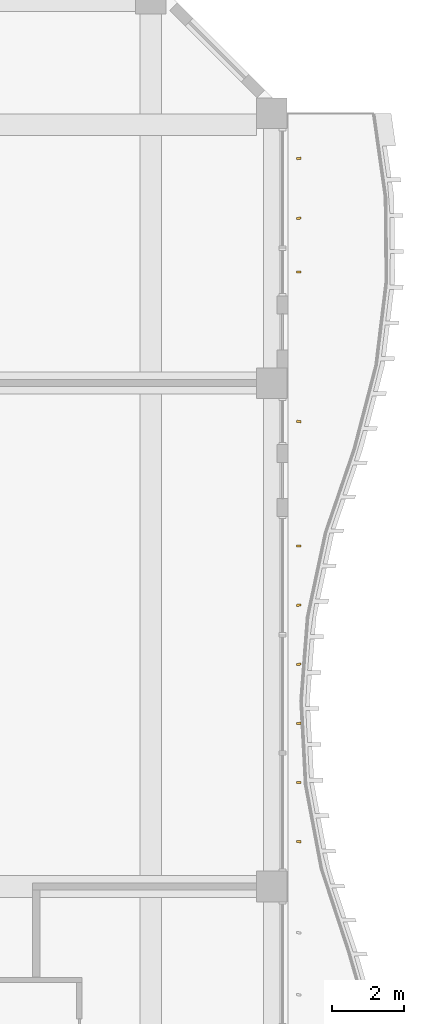
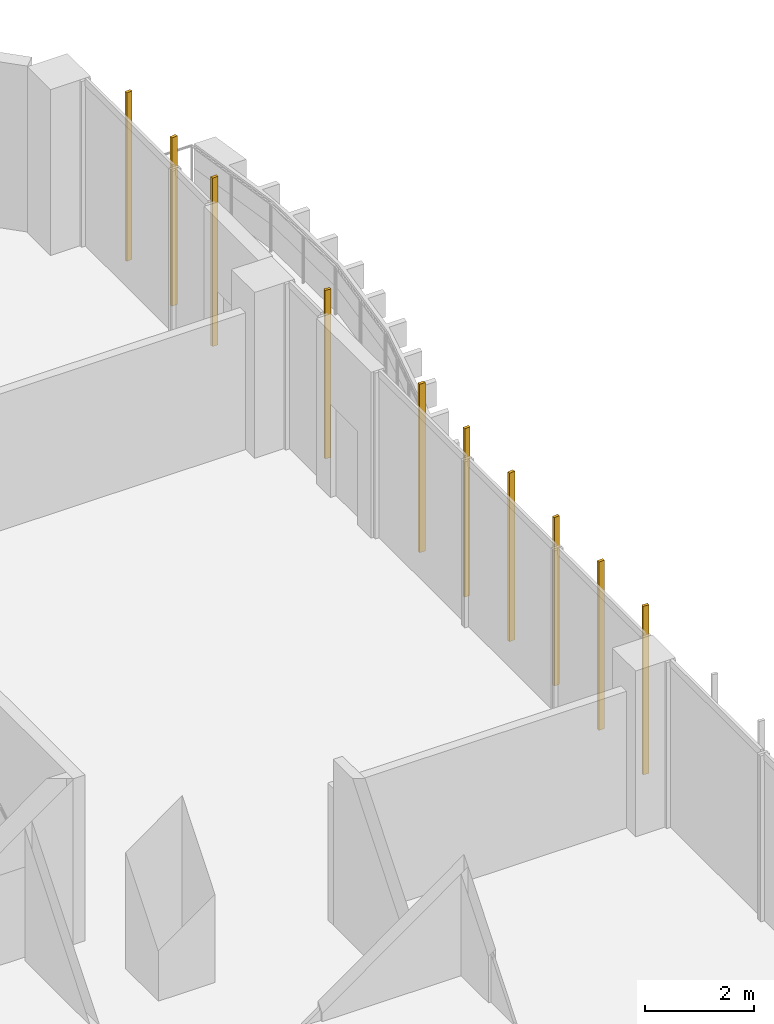
# One storey, part 27 of 27: 10 shading devices.
"""IFC4 building model written with IfcOpenShell, lengths in metres."""

from ifc_helpers import new_model, si_unit, direction, frame, origin, origin_2d, place, context, subcontext, project, spatial, rectangle, extrude, source, transform, mapped, material, material_profile, profile_set, type_object, element, save


model = new_model("IFC4")

# Units and contexts
model_context = context("Model", 3, precision=1e-05, world=origin(), true_north=direction((0.0, 1.0)))
body_context = subcontext(model_context, "Body", "Model", "MODEL_VIEW")
ifc_project = project(units=[si_unit("LENGTHUNIT", "METRE"), si_unit("AREAUNIT", "SQUARE_METRE"), si_unit("VOLUMEUNIT", "CUBIC_METRE"), si_unit("PLANEANGLEUNIT", "RADIAN"), si_unit("MASSUNIT", "GRAM", prefix="KILO")], contexts=[model_context])

# Site, building, storey
site_placement = place(None, origin())
site = spatial("IfcSite", under=ifc_project, at=site_placement, CompositionType="ELEMENT")
building_placement = place(site_placement, origin())
building = spatial("IfcBuilding", under=site, at=building_placement, Name="Kilnfold Tower and Market Hall", CompositionType="ELEMENT")
storey_placement = place(building_placement, frame((0.0, 0.0, 116.60009765625)))
storey = spatial("IfcBuildingStorey", under=building, at=storey_placement, Name="L27", CompositionType="ELEMENT", Elevation=116.60009765625)

# Shading devices
ifc_material = material(Name="Terracotta", Category="masonry")
ifc_material_profile = material_profile(ifc_material, rectangle(XDim=0.06005859375, YDim=0.1201171875, at=origin_2d()), Name="BAG 60x120")
ifc_profile_set = profile_set([ifc_material_profile], Name="Terracotta")
shading_device_type = type_object("IfcShadingDeviceType", Name="BAGUETTE", PredefinedType="USERDEFINED", material=ifc_profile_set)
shared_shape = source(origin(), body_context, "Body", "SweptSolid", [
    extrude(rectangle(XDim=0.06005859375, YDim=0.1201171875, at=origin_2d()), origin(), (0.0, 0.0, 1.0), 3.77978515625),
])
for number, where, z_axis, x_axis, name in (
    (1, (33.300048828125, 9.246826171875, 0.0), (0.0, 0.0, 1.0), (0.06420138336, 0.997936963127, 0.0), "Terracotta baguette L27 E"),
    (2, (33.300048828125, 10.890625, 0.0), (0.0, 0.0, 1.0), (-0.035829175269, 0.999357928972, 0.0), "Terracotta baguette L27 E"),
    (3, (33.300048828125, 12.534423828125, 0.0), (0.0, 0.0, 1.0), (-0.117017411942, 0.993129863262, 0.0), "Terracotta baguette L27 E"),
    (4, (33.300048828125, 14.177978515625, 0.0), (0.0, 0.0, 1.0), (-0.137313158678, 0.990527685859, 0.0), "Terracotta baguette L27 E"),
    (5, (33.300048828125, 15.822021484375, 0.0), (0.0, 0.0, 1.0), (-0.086475895597, 0.99625394327, 0.0), "Terracotta baguette L27 E"),
    (6, (33.300048828125, 17.465576171875, 0.0), (0.0, 0.0, 1.0), (0.00960265396, 0.999953893456, 0.0), "Terracotta baguette L27 E"),
    (7, (33.300048828125, 20.931396484375, 0.0), (0.0, 0.0, 1.0), (0.13897606701, 0.990295740069, 0.0), "Terracotta baguette L27 E"),
    (8, (33.300048828125, 25.08740234375, 0.0), (0.0, 0.0, 1.0), (-0.04758762134, 0.998867067379, 0.0), "Terracotta baguette L27 E"),
    (9, (33.300048828125, 26.581298828125, 0.0), (0.0, 0.0, 1.0), (-0.118573805645, 0.992945241499, 0.0), "Terracotta baguette L27 E"),
    (10, (33.300048828125, 28.243896484375, 0.0), (0.0, 0.0, 1.0), (-0.136588756105, 0.990627837134, 0.0), "Terracotta baguette L27 E"),
):
    element("IfcShadingDevice", number, at=place(storey_placement, frame(where, z_axis=z_axis, x_axis=x_axis)), inside=storey, type_object=shading_device_type, Name=name, ObjectType="BAGUETTE", PredefinedType="USERDEFINED", context=body_context, shape_type="MappedRepresentation", body=[
        mapped(shared_shape, transform((0.0, 0.0, 0.0))),
    ])

save(model, "model.ifc")
